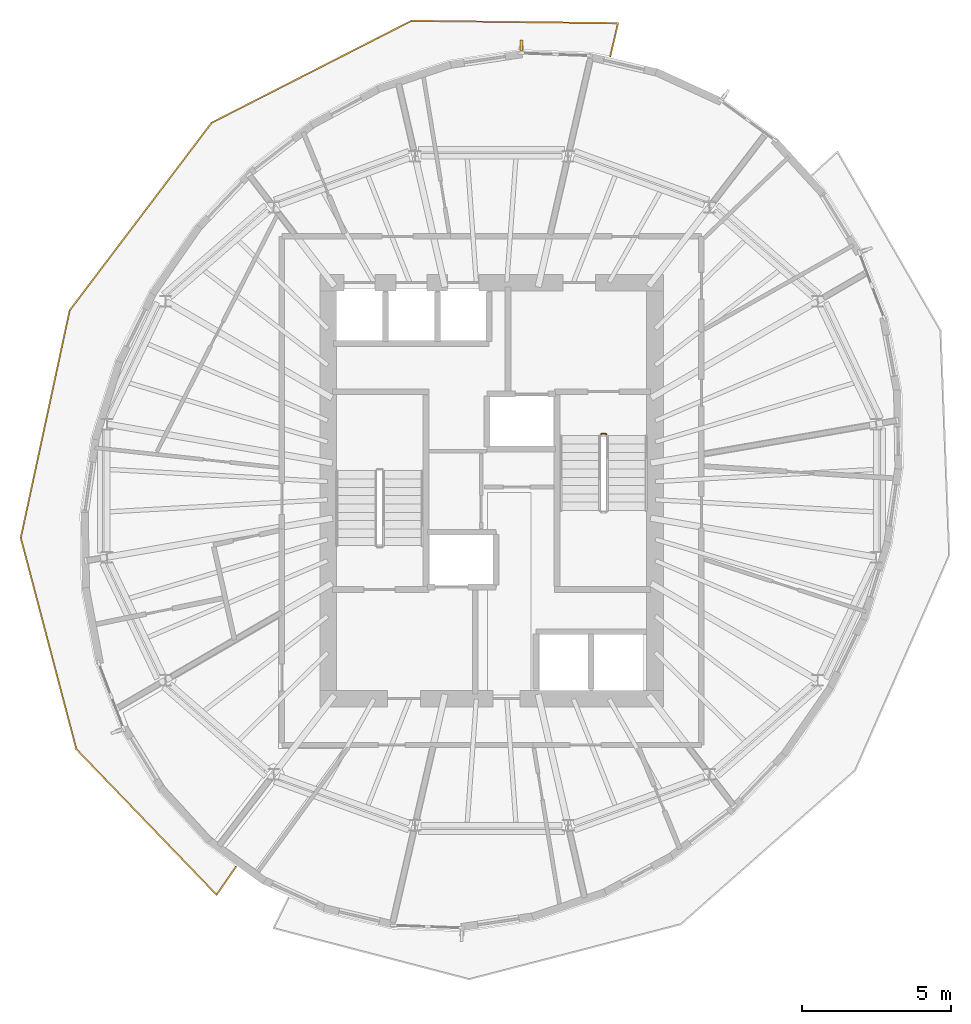
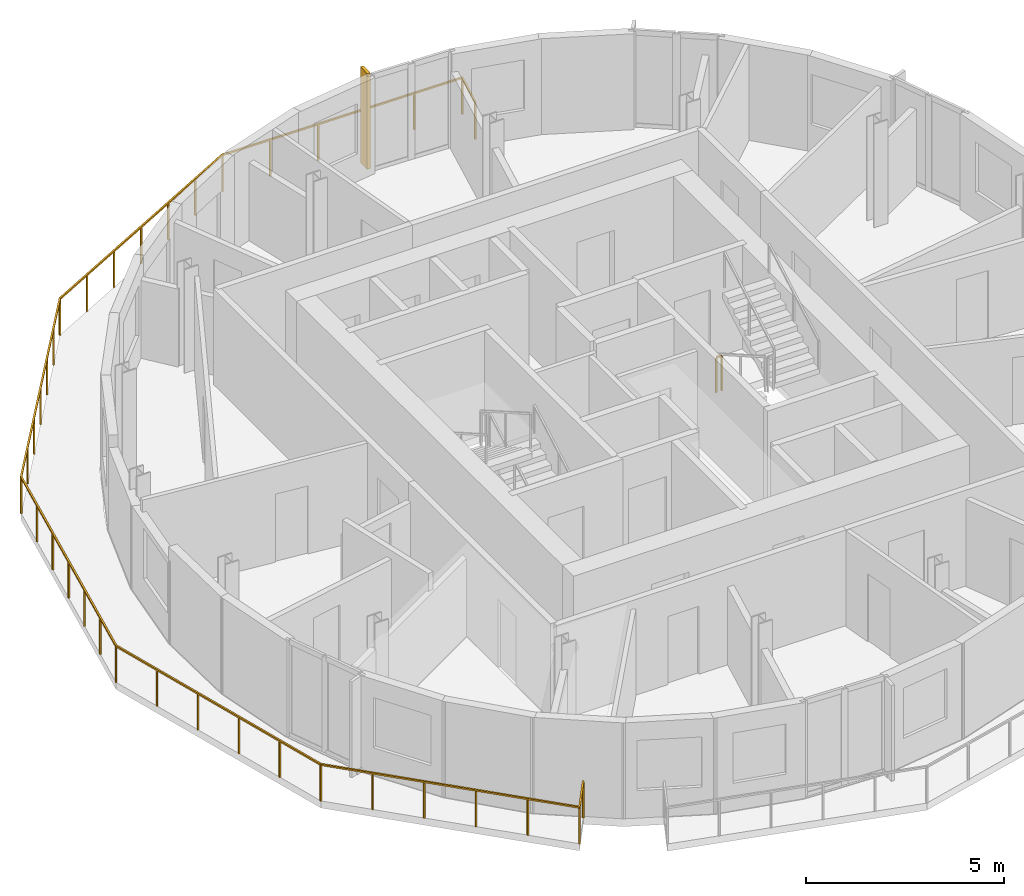
# One storey, part 10 of 11: 2 railings, 1 shading device.
"""IFC4 building model written with IfcOpenShell, lengths in metres."""

from ifc_helpers import new_model, si_unit, direction, frame, origin, origin_2d, place, context, subcontext, project, spatial, rectangle, extrude, material, layer, layer_set, type_object, element, save


model = new_model("IFC4")

# Units and contexts
model_context = context("Model", 3, precision=1e-05, world=origin(), true_north=direction((0.0, 1.0)))
body_context = subcontext(model_context, "Body", "Model", "MODEL_VIEW")
ifc_project = project(units=[si_unit("LENGTHUNIT", "METRE"), si_unit("AREAUNIT", "SQUARE_METRE"), si_unit("VOLUMEUNIT", "CUBIC_METRE"), si_unit("PLANEANGLEUNIT", "RADIAN"), si_unit("MASSUNIT", "GRAM", prefix="KILO")], contexts=[model_context])

# Site, building, storey
site_placement = place(None, origin())
site = spatial("IfcSite", under=ifc_project, at=site_placement, CompositionType="ELEMENT")
building_placement = place(site_placement, origin())
building = spatial("IfcBuilding", under=site, at=building_placement, Name="Veldorim Arch Residences", CompositionType="ELEMENT")
storey_placement = place(building_placement, frame((0.0, 0.0, 236.639892578125)))
storey = spatial("IfcBuildingStorey", under=building, at=storey_placement, Name="L71", CompositionType="ELEMENT", Elevation=236.639892578125)

# Railings
ifc_material_1 = material(Name="Aluminium", Category="aluminium")
railing_type_1 = type_object("IfcRailingType", Name="Balcony & Terrace Laminated Glass Balustrade 1150", PredefinedType="BALUSTRADE", material=ifc_material_1)
railing_1_placement = place(storey_placement, frame((35.997314453125, 38.618896484375, 0.0)))
element("IfcRailing", 1, at=railing_1_placement, inside=storey, type_object=railing_type_1, Name="L71 crescent balcony safety balustrade A", PredefinedType="BALUSTRADE", context=body_context, shape_type="SweptSolid", body=[
    extrude(rectangle(XDim=0.048095703125, YDim=0.048095703125, at=origin_2d()), frame((0.0, 0.0, 1.1259765625), z_axis=(0.227571855929, 0.97376129025, 0.0), x_axis=(-0.97376129025, 0.227571855929, 0.0)), (0.0, 0.0, 1.0), 1.150146484375),
    extrude(rectangle(XDim=0.048095703125, YDim=0.048095703125, at=origin_2d()), frame((0.26171875, 1.119873046875, 1.1259765625), z_axis=(-0.999933338896, 0.011546331198, 0.0), x_axis=(-0.011546331198, -0.999933338896, 0.0)), (0.0, 0.0, 1.0), 6.95654296875),
    extrude(rectangle(XDim=0.048095703125, YDim=0.048095703125, at=origin_2d()), frame((-6.6943359375, 1.2001953125, 1.1259765625), z_axis=(-0.890713008581, -0.454566096783, 0.0), x_axis=(0.454566096783, -0.890713008581, 0.0)), (0.0, 0.0, 1.0), 7.55517578125),
    extrude(rectangle(XDim=0.048095703125, YDim=0.048095703125, at=origin_2d()), frame((-13.423828125, -2.234130859375, 1.1259765625), z_axis=(-0.60329484333, -0.797518233027, 0.0), x_axis=(0.797518233027, -0.60329484333, 0.0)), (0.0, 0.0, 1.0), 7.919189453125),
    extrude(rectangle(XDim=0.048095703125, YDim=0.048095703125, at=origin_2d()), frame((-18.201416015625, -8.5498046875, 1.1259765625), z_axis=(-0.210244385484, -0.977648862513, 0.0), x_axis=(0.977648862513, -0.210244385484, 0.0)), (0.0, 0.0, 1.0), 7.831298828125),
    extrude(rectangle(XDim=0.048095703125, YDim=0.048095703125, at=origin_2d()), frame((-19.847900390625, -16.2060546875, 1.1259765625), z_axis=(0.254331582217, -0.967117079927, 0.0), x_axis=(0.967117079927, 0.254331582217, 0.0)), (0.0, 0.0, 1.0), 7.35693359375),
    extrude(rectangle(XDim=0.048095703125, YDim=0.048095703125, at=origin_2d()), frame((-17.976806640625, -23.321044921875, 1.1259765625), z_axis=(0.693423926079, -0.720529845837, 0.0), x_axis=(0.720529845837, 0.693423926079, 0.0)), (0.0, 0.0, 1.0), 6.809326171875),
    extrude(rectangle(XDim=0.048095703125, YDim=0.048095703125, at=origin_2d()), frame((-13.255126953125, -28.227294921875, 1.1259765625), z_axis=(0.570037677887, 0.821618552486, 0.0), x_axis=(-0.821618552486, 0.570037677887, 0.0)), (0.0, 0.0, 1.0), 1.14990234375),
    extrude(rectangle(XDim=0.0419921875, YDim=0.0419921875, at=origin_2d()), origin(), (0.0, 0.0, 1.0), 1.101806640625),
    extrude(rectangle(XDim=0.0419921875, YDim=0.0419921875, at=origin_2d()), frame((0.26171875, 1.119873046875, 0.0)), (0.0, 0.0, 1.0), 1.101806640625),
    extrude(rectangle(XDim=0.0419921875, YDim=0.0419921875, at=origin_2d()), frame((-1.12939453125, 1.135986328125, 0.0)), (0.0, 0.0, 1.0), 1.101806640625),
    extrude(rectangle(XDim=0.0419921875, YDim=0.0419921875, at=origin_2d()), frame((-2.520751953125, 1.152099609375, 0.0)), (0.0, 0.0, 1.0), 1.101806640625),
    extrude(rectangle(XDim=0.0419921875, YDim=0.0419921875, at=origin_2d()), frame((-3.911865234375, 1.16796875, 0.0)), (0.0, 0.0, 1.0), 1.101806640625),
    extrude(rectangle(XDim=0.0419921875, YDim=0.0419921875, at=origin_2d()), frame((-5.30322265625, 1.18408203125, 0.0)), (0.0, 0.0, 1.0), 1.101806640625),
    extrude(rectangle(XDim=0.0419921875, YDim=0.0419921875, at=origin_2d()), frame((-6.6943359375, 1.2001953125, 0.0)), (0.0, 0.0, 1.0), 1.101806640625),
    extrude(rectangle(XDim=0.0419921875, YDim=0.0419921875, at=origin_2d()), frame((-7.81591796875, 0.6279296875, 0.0)), (0.0, 0.0, 1.0), 1.101806640625),
    extrude(rectangle(XDim=0.0419921875, YDim=0.0419921875, at=origin_2d()), frame((-8.9375, 0.055419921875, 0.0)), (0.0, 0.0, 1.0), 1.101806640625),
    extrude(rectangle(XDim=0.0419921875, YDim=0.0419921875, at=origin_2d()), frame((-10.05908203125, -0.51708984375, 0.0)), (0.0, 0.0, 1.0), 1.101806640625),
    extrude(rectangle(XDim=0.0419921875, YDim=0.0419921875, at=origin_2d()), frame((-11.1806640625, -1.08935546875, 0.0)), (0.0, 0.0, 1.0), 1.101806640625),
    extrude(rectangle(XDim=0.0419921875, YDim=0.0419921875, at=origin_2d()), frame((-12.30224609375, -1.66162109375, 0.0)), (0.0, 0.0, 1.0), 1.101806640625),
    extrude(rectangle(XDim=0.0419921875, YDim=0.0419921875, at=origin_2d()), frame((-13.423828125, -2.234130859375, 0.0)), (0.0, 0.0, 1.0), 1.101806640625),
    extrude(rectangle(XDim=0.0419921875, YDim=0.0419921875, at=origin_2d()), frame((-14.22021484375, -3.28662109375, 0.0)), (0.0, 0.0, 1.0), 1.101806640625),
    extrude(rectangle(XDim=0.0419921875, YDim=0.0419921875, at=origin_2d()), frame((-15.016357421875, -4.33935546875, 0.0)), (0.0, 0.0, 1.0), 1.101806640625),
    extrude(rectangle(XDim=0.0419921875, YDim=0.0419921875, at=origin_2d()), frame((-15.8125, -5.39208984375, 0.0)), (0.0, 0.0, 1.0), 1.101806640625),
    extrude(rectangle(XDim=0.0419921875, YDim=0.0419921875, at=origin_2d()), frame((-16.60888671875, -6.444580078125, 0.0)), (0.0, 0.0, 1.0), 1.101806640625),
    extrude(rectangle(XDim=0.0419921875, YDim=0.0419921875, at=origin_2d()), frame((-17.4052734375, -7.4970703125, 0.0)), (0.0, 0.0, 1.0), 1.101806640625),
    extrude(rectangle(XDim=0.0419921875, YDim=0.0419921875, at=origin_2d()), frame((-18.201416015625, -8.5498046875, 0.0)), (0.0, 0.0, 1.0), 1.101806640625),
    extrude(rectangle(XDim=0.0419921875, YDim=0.0419921875, at=origin_2d()), frame((-18.475830078125, -9.825927734375, 0.0)), (0.0, 0.0, 1.0), 1.101806640625),
    extrude(rectangle(XDim=0.0419921875, YDim=0.0419921875, at=origin_2d()), frame((-18.750244140625, -11.101806640625, 0.0)), (0.0, 0.0, 1.0), 1.101806640625),
    extrude(rectangle(XDim=0.0419921875, YDim=0.0419921875, at=origin_2d()), frame((-19.024658203125, -12.3779296875, 0.0)), (0.0, 0.0, 1.0), 1.101806640625),
    extrude(rectangle(XDim=0.0419921875, YDim=0.0419921875, at=origin_2d()), frame((-19.299072265625, -13.654052734375, 0.0)), (0.0, 0.0, 1.0), 1.101806640625),
    extrude(rectangle(XDim=0.0419921875, YDim=0.0419921875, at=origin_2d()), frame((-19.573486328125, -14.929931640625, 0.0)), (0.0, 0.0, 1.0), 1.101806640625),
    extrude(rectangle(XDim=0.0419921875, YDim=0.0419921875, at=origin_2d()), frame((-19.847900390625, -16.2060546875, 0.0)), (0.0, 0.0, 1.0), 1.101806640625),
    extrude(rectangle(XDim=0.0419921875, YDim=0.0419921875, at=origin_2d()), frame((-19.4736328125, -17.629150390625, 0.0)), (0.0, 0.0, 1.0), 1.101806640625),
    extrude(rectangle(XDim=0.0419921875, YDim=0.0419921875, at=origin_2d()), frame((-19.099365234375, -19.052001953125, 0.0)), (0.0, 0.0, 1.0), 1.101806640625),
    extrude(rectangle(XDim=0.0419921875, YDim=0.0419921875, at=origin_2d()), frame((-18.725341796875, -20.47509765625, 0.0)), (0.0, 0.0, 1.0), 1.101806640625),
    extrude(rectangle(XDim=0.0419921875, YDim=0.0419921875, at=origin_2d()), frame((-18.35107421875, -21.89794921875, 0.0)), (0.0, 0.0, 1.0), 1.101806640625),
    extrude(rectangle(XDim=0.0419921875, YDim=0.0419921875, at=origin_2d()), frame((-17.976806640625, -23.321044921875, 0.0)), (0.0, 0.0, 1.0), 1.101806640625),
    extrude(rectangle(XDim=0.0419921875, YDim=0.0419921875, at=origin_2d()), frame((-17.032470703125, -24.30224609375, 0.0)), (0.0, 0.0, 1.0), 1.101806640625),
    extrude(rectangle(XDim=0.0419921875, YDim=0.0419921875, at=origin_2d()), frame((-16.088134765625, -25.283447265625, 0.0)), (0.0, 0.0, 1.0), 1.101806640625),
    extrude(rectangle(XDim=0.0419921875, YDim=0.0419921875, at=origin_2d()), frame((-15.143798828125, -26.264892578125, 0.0)), (0.0, 0.0, 1.0), 1.101806640625),
    extrude(rectangle(XDim=0.0419921875, YDim=0.0419921875, at=origin_2d()), frame((-14.199462890625, -27.24609375, 0.0)), (0.0, 0.0, 1.0), 1.101806640625),
    extrude(rectangle(XDim=0.0419921875, YDim=0.0419921875, at=origin_2d()), frame((-13.255126953125, -28.227294921875, 0.0)), (0.0, 0.0, 1.0), 1.101806640625),
    extrude(rectangle(XDim=0.0419921875, YDim=0.0419921875, at=origin_2d()), frame((-12.599609375, -27.282470703125, 0.0)), (0.0, 0.0, 1.0), 1.101806640625),
])
ifc_material_2 = material(Name="Steel S355", Category="steel")
railing_type_2 = type_object("IfcRailingType", Name="Galvanised Steel Stair Safety Guardrail 1100", PredefinedType="GUARDRAIL", material=ifc_material_2)
railing_2_placement = place(storey_placement, frame((35.68994140625, 25.89990234375, 0.0)))
element("IfcRailing", 2, at=railing_2_placement, inside=storey, type_object=railing_type_2, Name="L71 ST-2 stair guard 4", PredefinedType="GUARDRAIL", context=body_context, shape_type="SweptSolid", body=[
    extrude(rectangle(XDim=0.048095703125, YDim=0.048095703125, at=origin_2d()), frame((0.0, 0.0, 1.076171875), z_axis=(1.0, 0.0, 0.0), x_axis=(0.0, 1.0, 0.0)), (0.0, 0.0, 1.0), 0.16015625),
    extrude(rectangle(XDim=0.0419921875, YDim=0.0419921875, at=origin_2d()), origin(), (0.0, 0.0, 1.0), 1.052001953125),
    extrude(rectangle(XDim=0.0419921875, YDim=0.0419921875, at=origin_2d()), frame((0.16015625, 0.0, 0.0)), (0.0, 0.0, 1.0), 1.052001953125),
])

# Shading device
ifc_material_3 = material(Name="Terracotta Ceramic", Category="masonry")
ifc_layer = layer(ifc_material_3, 0.090087890625, Name="Vertical Extruded Terracotta Baguette Sun-Shading Fin")
ifc_layer_set = layer_set([ifc_layer], Name="Terracotta Ceramic")
shading_device_type = type_object("IfcShadingDeviceType", Name="Vertical Extruded Terracotta Baguette Sun-Shading Fin", PredefinedType="USERDEFINED", material=ifc_layer_set)
shading_device_placement = place(storey_placement, frame((33.00341796875, 38.995361328125, 0.000244140625), z_axis=(0.0, 0.0, 1.0), x_axis=(0.999289472641, -0.03769018267, 0.0)))
element("IfcShadingDevice", 3, at=shading_device_placement, inside=storey, type_object=shading_device_type, Name="L71 vertical terracotta sun-shading fin 03", ObjectType="FIN", PredefinedType="USERDEFINED", context=body_context, shape_type="SweptSolid", body=[
    extrude(rectangle(XDim=0.090087890625, YDim=0.360107421875, at=origin_2d()), origin(), (0.0, 0.0, 1.0), 2.9599609375),
])

save(model, "model.ifc")
